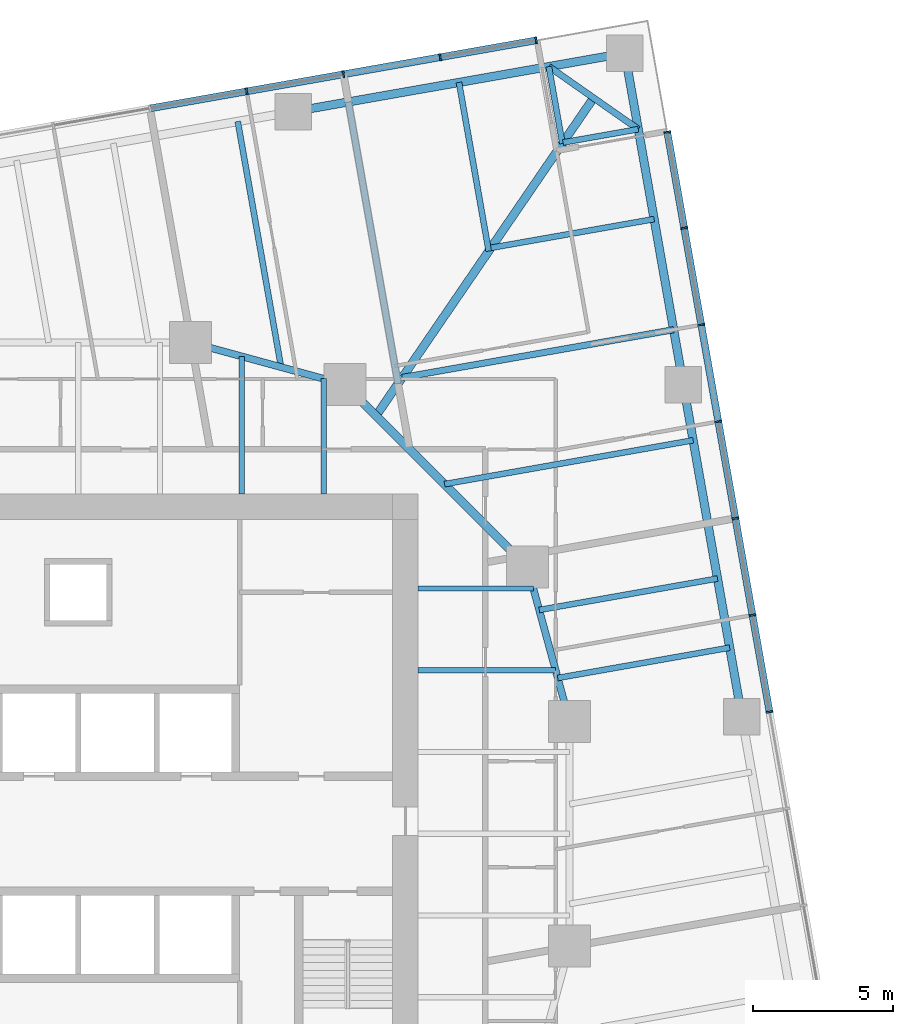
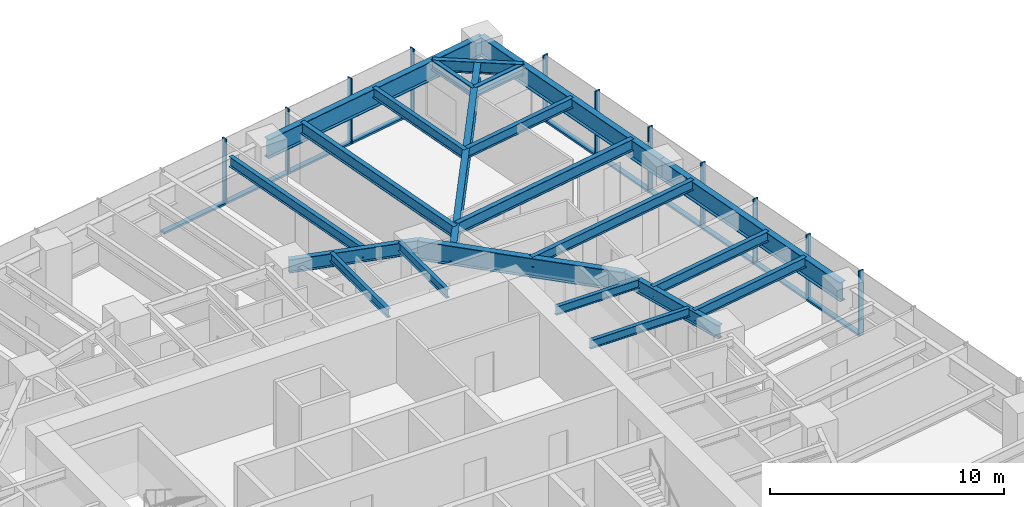
# One storey, part 6 of 14: 22 beams, 21 members, 2 elements without a shape of their own.
"""IFC4 building model written with IfcOpenShell, lengths in metres."""

from ifc_helpers import new_model, si_unit, direction, frame, origin, origin_2d, place, context, subcontext, project, spatial, rectangle, i_section, extrude, material, material_profile, profile_set, type_object, element, aggregate, save


model = new_model("IFC4")

# Units and contexts
model_context = context("Model", 3, precision=1e-05, world=origin(), true_north=direction((0.0, 1.0)))
body_context = subcontext(model_context, "Body", "Model", "MODEL_VIEW")
ifc_project = project(units=[si_unit("LENGTHUNIT", "METRE"), si_unit("AREAUNIT", "SQUARE_METRE"), si_unit("VOLUMEUNIT", "CUBIC_METRE"), si_unit("PLANEANGLEUNIT", "RADIAN"), si_unit("MASSUNIT", "GRAM", prefix="KILO")], contexts=[model_context])

# Site, building, storey
site_placement = place(None, origin())
site = spatial("IfcSite", under=ifc_project, at=site_placement, CompositionType="ELEMENT")
building_placement = place(site_placement, origin())
building = spatial("IfcBuilding", under=site, at=building_placement, Name="Torsade Residences", CompositionType="ELEMENT")
storey_placement = place(building_placement, frame((0.0, 0.0, 96.39990234375)))
storey = spatial("IfcBuildingStorey", under=building, at=storey_placement, Name="L26", CompositionType="ELEMENT", Elevation=96.39990234375)

# Beams
ifc_material_1 = material(Name="Steel grade 300", Category="steel")
ifc_material_profile_1 = material_profile(ifc_material_1, i_section(OverallWidth=0.300048828125, OverallDepth=0.89990234375, WebThickness=0.011962890625, FlangeThickness=0.02490234375, at=origin_2d()), Name="900WB175")
ifc_profile_set_1 = profile_set([ifc_material_profile_1], Name="Steel grade 300")
beam_type_1 = type_object("IfcBeamType", Name="CORNER GIRDER 900WB175", PredefinedType="BEAM", material=ifc_profile_set_1)
beam_1_placement = place(storey_placement, frame((58.3525390625, 56.2099609375, 2.800048828125), z_axis=(-0.564724759437, -0.825279313977, 0.0), x_axis=(0.825279313977, -0.564724759437, 0.0)))
element("IfcBeam", 1, at=beam_1_placement, inside=storey, type_object=beam_type_1, Name="Corner girder 09 L27", PredefinedType="BEAM", context=body_context, shape_type="SweptSolid", body=[
    extrude(i_section(OverallWidth=0.300048828125, OverallDepth=0.89990234375, WebThickness=0.011962890625, FlangeThickness=0.02490234375, at=origin_2d()), origin(), (0.0, 0.0, 1.0), 13.7138671875),
])
ifc_material_2 = material(Name="Steel grade 300", Category="steel")
ifc_material_profile_2 = material_profile(ifc_material_2, i_section(OverallWidth=0.22802734375, OverallDepth=0.60205078125, WebThickness=0.010498046875, FlangeThickness=0.014892578125, FilletRadius=0.013916015625, at=origin_2d()), Name="610UB101")
ifc_profile_set_2 = profile_set([ifc_material_profile_2], Name="Steel grade 300")
beam_type_2 = type_object("IfcBeamType", Name="CORNER TRIMMER 610UB101", PredefinedType="BEAM", material=ifc_profile_set_2)
beam_2_placement = place(storey_placement, frame((56.759521484375, 57.325439453125, 2.94921875), z_axis=(0.819152285145, -0.573576092373, 0.0), x_axis=(0.573576092373, 0.819152285145, 0.0)))
element("IfcBeam", 2, at=beam_2_placement, inside=storey, type_object=beam_type_2, Name="Corner trimmer 09 L27", PredefinedType="BEAM", context=body_context, shape_type="SweptSolid", body=[
    extrude(i_section(OverallWidth=0.22802734375, OverallDepth=0.60205078125, WebThickness=0.010498046875, FlangeThickness=0.014892578125, FilletRadius=0.013916015625, at=origin_2d()), origin(), (0.0, 0.0, 1.0), 3.88916015625),
])

# Curtain wall, members
ifc_material_3 = material(Name="Aluminium and glass", Category="aluminium")
curtain_wall_type = type_object("IfcCurtainWallType", Name="FRITTED GLASS CURTAIN WALL LOW ZONE", PredefinedType="NOTDEFINED", material=ifc_material_3)
curtain_wall_1_placement = place(storey_placement, origin())
curtain_wall_1 = element("IfcCurtainWall", 3, at=curtain_wall_1_placement, inside=storey, type_object=curtain_wall_type, Name="Curtain wall L26 face 4", PredefinedType="NOTDEFINED")
ifc_material_4 = material(Name="Aluminium mullion", Category="aluminium")
ifc_material_profile_3 = material_profile(ifc_material_4, rectangle(XDim=0.25, YDim=0.06494140625, at=origin_2d()), Name="CURTAIN WALL MULLION 250x65")
ifc_profile_set_3 = profile_set([ifc_material_profile_3], Name="Aluminium mullion")
member_type_1 = type_object("IfcMemberType", Name="CURTAIN WALL MULLION 250x65", PredefinedType="MULLION", material=ifc_profile_set_3)
member_1_placement = place(storey_placement, frame((64.6201171875, 34.34130859375, 0.0), z_axis=(0.0, 0.0, 1.0), x_axis=(-0.984807750372, -0.173648192638, 0.0)))
member_1 = element("IfcMember", 4, at=member_1_placement, type_object=member_type_1, Name="Mullion 7", PredefinedType="MULLION", context=body_context, shape_type="SweptSolid", body=[
    extrude(rectangle(XDim=0.25, YDim=0.06494140625, at=origin_2d()), origin(), (0.0, 0.0, 1.0), 3.400146484375),
])
member_2_placement = place(storey_placement, frame((64.012451171875, 37.7880859375, 0.0), z_axis=(0.0, 0.0, 1.0), x_axis=(-0.984807750372, -0.173648192638, 0.0)))
member_2 = element("IfcMember", 5, at=member_2_placement, type_object=member_type_1, Name="Mullion 8", PredefinedType="MULLION", context=body_context, shape_type="SweptSolid", body=[
    extrude(rectangle(XDim=0.25, YDim=0.06494140625, at=origin_2d()), origin(), (0.0, 0.0, 1.0), 3.400146484375),
])
member_3_placement = place(storey_placement, frame((63.404541015625, 41.23486328125, 0.0), z_axis=(0.0, 0.0, 1.0), x_axis=(-0.984807750372, -0.173648192638, 0.0)))
member_3 = element("IfcMember", 6, at=member_3_placement, type_object=member_type_1, Name="Mullion 9", PredefinedType="MULLION", context=body_context, shape_type="SweptSolid", body=[
    extrude(rectangle(XDim=0.25, YDim=0.06494140625, at=origin_2d()), origin(), (0.0, 0.0, 1.0), 3.400146484375),
])
member_4_placement = place(storey_placement, frame((62.796875, 44.681640625, 0.0), z_axis=(0.0, 0.0, 1.0), x_axis=(-0.984807750372, -0.173648192638, 0.0)))
member_4 = element("IfcMember", 7, at=member_4_placement, type_object=member_type_1, Name="Mullion 10", PredefinedType="MULLION", context=body_context, shape_type="SweptSolid", body=[
    extrude(rectangle(XDim=0.25, YDim=0.06494140625, at=origin_2d()), origin(), (0.0, 0.0, 1.0), 3.400146484375),
])
member_5_placement = place(storey_placement, frame((62.189208984375, 48.12841796875, 0.0), z_axis=(0.0, 0.0, 1.0), x_axis=(-0.984807750372, -0.173648192638, 0.0)))
member_5 = element("IfcMember", 8, at=member_5_placement, type_object=member_type_1, Name="Mullion 11", PredefinedType="MULLION", context=body_context, shape_type="SweptSolid", body=[
    extrude(rectangle(XDim=0.25, YDim=0.06494140625, at=origin_2d()), origin(), (0.0, 0.0, 1.0), 3.400146484375),
])
member_6_placement = place(storey_placement, frame((61.581298828125, 51.575439453125, 0.0), z_axis=(0.0, 0.0, 1.0), x_axis=(-0.984807750372, -0.173648192638, 0.0)))
member_6 = element("IfcMember", 9, at=member_6_placement, type_object=member_type_1, Name="Mullion 12", PredefinedType="MULLION", context=body_context, shape_type="SweptSolid", body=[
    extrude(rectangle(XDim=0.25, YDim=0.06494140625, at=origin_2d()), origin(), (0.0, 0.0, 1.0), 3.400146484375),
])
member_7_placement = place(storey_placement, frame((60.979248046875, 54.990234375, 0.0), z_axis=(0.0, 0.0, 1.0), x_axis=(-0.984807750372, -0.173648192638, 0.0)))
member_7 = element("IfcMember", 10, at=member_7_placement, type_object=member_type_1, Name="Mullion 13", PredefinedType="MULLION", context=body_context, shape_type="SweptSolid", body=[
    extrude(rectangle(XDim=0.25, YDim=0.06494140625, at=origin_2d()), origin(), (0.0, 0.0, 1.0), 3.400146484375),
])

curtain_wall_2_placement = place(storey_placement, origin())
curtain_wall_2 = element("IfcCurtainWall", 11, at=curtain_wall_2_placement, inside=storey, type_object=curtain_wall_type, Name="Curtain wall L26 face 7", PredefinedType="NOTDEFINED")
member_8_placement = place(storey_placement, frame((56.307861328125, 58.26123046875, 0.0), z_axis=(0.0, 0.0, 1.0), x_axis=(0.173648192638, -0.984807750372, 0.0)))
member_8 = element("IfcMember", 12, at=member_8_placement, type_object=member_type_1, Name="Mullion 1", PredefinedType="MULLION", context=body_context, shape_type="SweptSolid", body=[
    extrude(rectangle(XDim=0.25, YDim=0.06494140625, at=origin_2d()), origin(), (0.0, 0.0, 1.0), 3.400146484375),
])
member_9_placement = place(storey_placement, frame((52.892822265625, 57.658935546875, 0.0), z_axis=(0.0, 0.0, 1.0), x_axis=(0.173648192638, -0.984807750372, 0.0)))
member_9 = element("IfcMember", 13, at=member_9_placement, type_object=member_type_1, Name="Mullion 2", PredefinedType="MULLION", context=body_context, shape_type="SweptSolid", body=[
    extrude(rectangle(XDim=0.25, YDim=0.06494140625, at=origin_2d()), origin(), (0.0, 0.0, 1.0), 3.400146484375),
])
member_10_placement = place(storey_placement, frame((49.446044921875, 57.05126953125, 0.0), z_axis=(0.0, 0.0, 1.0), x_axis=(0.173648192638, -0.984807750372, 0.0)))
member_10 = element("IfcMember", 14, at=member_10_placement, type_object=member_type_1, Name="Mullion 3", PredefinedType="MULLION", context=body_context, shape_type="SweptSolid", body=[
    extrude(rectangle(XDim=0.25, YDim=0.06494140625, at=origin_2d()), origin(), (0.0, 0.0, 1.0), 3.400146484375),
])
member_11_placement = place(storey_placement, frame((45.999267578125, 56.443603515625, 0.0), z_axis=(0.0, 0.0, 1.0), x_axis=(0.173648192638, -0.984807750372, 0.0)))
member_11 = element("IfcMember", 15, at=member_11_placement, type_object=member_type_1, Name="Mullion 4", PredefinedType="MULLION", context=body_context, shape_type="SweptSolid", body=[
    extrude(rectangle(XDim=0.25, YDim=0.06494140625, at=origin_2d()), origin(), (0.0, 0.0, 1.0), 3.400146484375),
])

# Member
ifc_material_5 = material(Name="Aluminium transom", Category="aluminium")
ifc_material_profile_4 = material_profile(ifc_material_5, rectangle(XDim=0.25, YDim=0.10009765625, at=origin_2d()), Name="CURTAIN WALL TRANSOM 250x100")
ifc_profile_set_4 = profile_set([ifc_material_profile_4], Name="Aluminium transom")
member_type_2 = type_object("IfcMemberType", Name="CURTAIN WALL TRANSOM 250x100", PredefinedType="USERDEFINED", material=ifc_profile_set_4)
member_12_placement = place(storey_placement, frame((64.614501953125, 34.373291015625, 0.050048828125), z_axis=(-0.17363531196, 0.984810021497, 0.0), x_axis=(-0.984810021497, -0.17363531196, 0.0)))
member_12 = element("IfcMember", 16, at=member_12_placement, type_object=member_type_2, Name="Transom 7.1", ObjectType="TRANSOM", PredefinedType="USERDEFINED", context=body_context, shape_type="SweptSolid", body=[
    extrude(rectangle(XDim=0.25, YDim=0.10009765625, at=origin_2d()), origin(), (0.0, 0.0, 1.0), 3.43505859375),
])

member_13_placement = place(storey_placement, frame((64.0068359375, 37.820068359375, 0.050048828125), z_axis=(-0.17363531196, 0.984810021497, 0.0), x_axis=(-0.984810021497, -0.17363531196, 0.0)))
member_13 = element("IfcMember", 17, at=member_13_placement, type_object=member_type_2, Name="Transom 8.1", ObjectType="TRANSOM", PredefinedType="USERDEFINED", context=body_context, shape_type="SweptSolid", body=[
    extrude(rectangle(XDim=0.25, YDim=0.10009765625, at=origin_2d()), origin(), (0.0, 0.0, 1.0), 3.43505859375),
])

member_14_placement = place(storey_placement, frame((63.39892578125, 41.266845703125, 0.050048828125), z_axis=(-0.17363531196, 0.984810021497, 0.0), x_axis=(-0.984810021497, -0.17363531196, 0.0)))
member_14 = element("IfcMember", 18, at=member_14_placement, type_object=member_type_2, Name="Transom 9.1", ObjectType="TRANSOM", PredefinedType="USERDEFINED", context=body_context, shape_type="SweptSolid", body=[
    extrude(rectangle(XDim=0.25, YDim=0.10009765625, at=origin_2d()), origin(), (0.0, 0.0, 1.0), 3.43505859375),
])

member_15_placement = place(storey_placement, frame((62.791259765625, 44.713623046875, 0.050048828125), z_axis=(-0.17363531196, 0.984810021497, 0.0), x_axis=(-0.984810021497, -0.17363531196, 0.0)))
member_15 = element("IfcMember", 19, at=member_15_placement, type_object=member_type_2, Name="Transom 10.1", ObjectType="TRANSOM", PredefinedType="USERDEFINED", context=body_context, shape_type="SweptSolid", body=[
    extrude(rectangle(XDim=0.25, YDim=0.10009765625, at=origin_2d()), origin(), (0.0, 0.0, 1.0), 3.43505859375),
])

member_16_placement = place(storey_placement, frame((62.18359375, 48.160400390625, 0.050048828125), z_axis=(-0.173704242465, 0.98479786563, 0.0), x_axis=(-0.98479786563, -0.173704242465, 0.0)))
member_16 = element("IfcMember", 20, at=member_16_placement, type_object=member_type_2, Name="Transom 11.1", ObjectType="TRANSOM", PredefinedType="USERDEFINED", context=body_context, shape_type="SweptSolid", body=[
    extrude(rectangle(XDim=0.25, YDim=0.10009765625, at=origin_2d()), origin(), (0.0, 0.0, 1.0), 3.43505859375),
])

member_17_placement = place(storey_placement, frame((61.57568359375, 51.607421875, 0.050048828125), z_axis=(-0.173642067011, 0.984808830466, 0.0), x_axis=(-0.984808830466, -0.173642067011, 0.0)))
member_17 = element("IfcMember", 21, at=member_17_placement, type_object=member_type_2, Name="Transom 12.1", ObjectType="TRANSOM", PredefinedType="USERDEFINED", context=body_context, shape_type="SweptSolid", body=[
    extrude(rectangle(XDim=0.25, YDim=0.10009765625, at=origin_2d()), origin(), (0.0, 0.0, 1.0), 3.402587890625),
])

aggregate(curtain_wall_1, [member_1, member_2, member_3, member_4, member_5, member_6, member_7, member_12, member_13, member_14, member_15, member_16, member_17])

member_18_placement = place(storey_placement, frame((56.275634765625, 58.255615234375, 0.050048828125), z_axis=(-0.984806666774, -0.173654337918, 0.0), x_axis=(0.173654337918, -0.984806666774, 0.0)))
member_18 = element("IfcMember", 22, at=member_18_placement, type_object=member_type_2, Name="Transom 1.1", ObjectType="TRANSOM", PredefinedType="USERDEFINED", context=body_context, shape_type="SweptSolid", body=[
    extrude(rectangle(XDim=0.25, YDim=0.10009765625, at=origin_2d()), origin(), (0.0, 0.0, 1.0), 3.40234375),
])

member_19_placement = place(storey_placement, frame((52.86083984375, 57.6533203125, 0.050048828125), z_axis=(-0.984810021497, -0.17363531196, 0.0), x_axis=(0.17363531196, -0.984810021497, 0.0)))
member_19 = element("IfcMember", 23, at=member_19_placement, type_object=member_type_2, Name="Transom 2.1", ObjectType="TRANSOM", PredefinedType="USERDEFINED", context=body_context, shape_type="SweptSolid", body=[
    extrude(rectangle(XDim=0.25, YDim=0.10009765625, at=origin_2d()), origin(), (0.0, 0.0, 1.0), 3.43505859375),
])

member_20_placement = place(storey_placement, frame((49.4140625, 57.045654296875, 0.050048828125), z_axis=(-0.984810021497, -0.17363531196, 0.0), x_axis=(0.17363531196, -0.984810021497, 0.0)))
member_20 = element("IfcMember", 24, at=member_20_placement, type_object=member_type_2, Name="Transom 3.1", ObjectType="TRANSOM", PredefinedType="USERDEFINED", context=body_context, shape_type="SweptSolid", body=[
    extrude(rectangle(XDim=0.25, YDim=0.10009765625, at=origin_2d()), origin(), (0.0, 0.0, 1.0), 3.43505859375),
])

member_21_placement = place(storey_placement, frame((45.96728515625, 56.437744140625, 0.050048828125), z_axis=(-0.984810021497, -0.17363531196, 0.0), x_axis=(0.17363531196, -0.984810021497, 0.0)))
member_21 = element("IfcMember", 25, at=member_21_placement, type_object=member_type_2, Name="Transom 4.1", ObjectType="TRANSOM", PredefinedType="USERDEFINED", context=body_context, shape_type="SweptSolid", body=[
    extrude(rectangle(XDim=0.25, YDim=0.10009765625, at=origin_2d()), origin(), (0.0, 0.0, 1.0), 3.43505859375),
])

aggregate(curtain_wall_2, [member_8, member_9, member_10, member_11, member_18, member_19, member_20, member_21])

# Beams
ifc_material_6 = material(Name="Steel grade 300", Category="steel")
ifc_material_profile_5 = material_profile(ifc_material_6, i_section(OverallWidth=0.300048828125, OverallDepth=1.0, WebThickness=0.01611328125, FlangeThickness=0.028076171875, at=origin_2d()), Name="1000WB215")
ifc_profile_set_5 = profile_set([ifc_material_profile_5], Name="Steel grade 300")
beam_type_3 = type_object("IfcBeamType", Name="EDGE BEAM 1000WB215", PredefinedType="SPANDREL", material=ifc_profile_set_5)
beam_3_placement = place(storey_placement, frame((63.635498046875, 34.16748046875, 2.75), z_axis=(-0.173662308598, 0.984805261243, 0.0), x_axis=(-0.984805261243, -0.173662308598, 0.0)))
element("IfcBeam", 26, at=beam_3_placement, inside=storey, type_object=beam_type_3, Name="Edge beam 07 L27", PredefinedType="SPANDREL", context=body_context, shape_type="SweptSolid", body=[
    extrude(i_section(OverallWidth=0.300048828125, OverallDepth=1.0, WebThickness=0.01611328125, FlangeThickness=0.028076171875, at=origin_2d()), origin(), (0.0, 0.0, 1.0), 12.000244140625),
])
for number, where, z_axis, x_axis, name in (
    (27, (61.551513671875, 45.9853515625, 2.75), (-0.173646056486, 0.984808127031, 0.0), (-0.984808127031, -0.173646056486, 0.0), "Edge beam 08 L27"),
    (28, (59.4677734375, 57.802978515625, 2.75), (-0.984808127031, -0.173646056486, 0.0), (0.173646056486, -0.984808127031, 0.0), "Edge beam 09 L27"),
):
    element("IfcBeam", number, at=place(storey_placement, frame(where, z_axis=z_axis, x_axis=x_axis)), inside=storey, type_object=beam_type_3, Name=name, PredefinedType="SPANDREL", context=body_context, shape_type="SweptSolid", body=[
        extrude(i_section(OverallWidth=0.300048828125, OverallDepth=1.0, WebThickness=0.01611328125, FlangeThickness=0.028076171875, at=origin_2d()), origin(), (0.0, 0.0, 1.0), 12.0),
    ])
ifc_material_7 = material(Name="Steel grade 300", Category="steel")
ifc_material_profile_6 = material_profile(ifc_material_7, i_section(OverallWidth=0.18994140625, OverallDepth=0.4541015625, WebThickness=0.008544921875, FlangeThickness=0.0126953125, FilletRadius=0.011474609375, at=origin_2d()), Name="460UB67.1")
ifc_profile_set_6 = profile_set([ifc_material_profile_6], Name="Steel grade 300")
beam_type_4 = type_object("IfcBeamType", Name="INNER FLOOR BEAM 460UB67.1", PredefinedType="JOIST", material=ifc_profile_set_6)
beam_4_placement = place(storey_placement, frame((45.824951171875, 42.10009765625, 3.023193359375), z_axis=(0.0, 1.0, 0.0), x_axis=(-1.0, 0.0, 0.0)))
element("IfcBeam", 29, at=beam_4_placement, inside=storey, type_object=beam_type_4, Name="Inner floor beam IN06 L27", PredefinedType="JOIST", context=body_context, shape_type="SweptSolid", body=[
    extrude(i_section(OverallWidth=0.18994140625, OverallDepth=0.4541015625, WebThickness=0.008544921875, FlangeThickness=0.0126953125, FilletRadius=0.011474609375, at=origin_2d()), origin(), (0.0, 0.0, 1.0), 4.902099609375),
])
beam_5_placement = place(storey_placement, frame((48.737548828125, 42.10009765625, 3.023193359375), z_axis=(0.0, 1.0, 0.0), x_axis=(-1.0, 0.0, 0.0)))
element("IfcBeam", 30, at=beam_5_placement, inside=storey, type_object=beam_type_4, Name="Inner floor beam IN07 L27", PredefinedType="JOIST", context=body_context, shape_type="SweptSolid", body=[
    extrude(i_section(OverallWidth=0.18994140625, OverallDepth=0.4541015625, WebThickness=0.008544921875, FlangeThickness=0.0126953125, FilletRadius=0.011474609375, at=origin_2d()), origin(), (0.0, 0.0, 1.0), 4.10791015625),
])
beam_6_placement = place(storey_placement, frame((52.10009765625, 35.824951171875, 3.023193359375), z_axis=(1.0, 0.0, 0.0), x_axis=(0.0, 1.0, 0.0)))
element("IfcBeam", 31, at=beam_6_placement, inside=storey, type_object=beam_type_4, Name="Inner floor beam IE06 L27", PredefinedType="JOIST", context=body_context, shape_type="SweptSolid", body=[
    extrude(i_section(OverallWidth=0.18994140625, OverallDepth=0.4541015625, WebThickness=0.008544921875, FlangeThickness=0.0126953125, FilletRadius=0.011474609375, at=origin_2d()), origin(), (0.0, 0.0, 1.0), 4.902099609375),
])
beam_7_placement = place(storey_placement, frame((52.10009765625, 38.737548828125, 3.023193359375), z_axis=(1.0, 0.0, 0.0), x_axis=(0.0, 1.0, 0.0)))
element("IfcBeam", 32, at=beam_7_placement, inside=storey, type_object=beam_type_4, Name="Inner floor beam IE07 L27", PredefinedType="JOIST", context=body_context, shape_type="SweptSolid", body=[
    extrude(i_section(OverallWidth=0.18994140625, OverallDepth=0.4541015625, WebThickness=0.008544921875, FlangeThickness=0.0126953125, FilletRadius=0.011474609375, at=origin_2d()), origin(), (0.0, 0.0, 1.0), 4.10791015625),
])
ifc_material_8 = material(Name="Steel grade 300", Category="steel")
ifc_material_profile_7 = material_profile(ifc_material_8, i_section(OverallWidth=0.300048828125, OverallDepth=1.0, WebThickness=0.01611328125, FlangeThickness=0.028076171875, at=origin_2d()), Name="1000WB215")
ifc_profile_set_7 = profile_set([ifc_material_profile_7], Name="Steel grade 300")
beam_type_5 = type_object("IfcBeamType", Name="RING CORNER GIRDER 1000WB215", PredefinedType="BEAM", material=ifc_profile_set_7)
beam_8_placement = place(storey_placement, frame((56.0, 39.5, 2.75), z_axis=(-0.707106781187, 0.707106781187, 0.0), x_axis=(-0.707106781187, -0.707106781187, 0.0)))
element("IfcBeam", 33, at=beam_8_placement, inside=storey, type_object=beam_type_5, Name="Ring girder IR03 L27", PredefinedType="BEAM", context=body_context, shape_type="SweptSolid", body=[
    extrude(i_section(OverallWidth=0.300048828125, OverallDepth=1.0, WebThickness=0.01611328125, FlangeThickness=0.028076171875, at=origin_2d()), origin(), (0.0, 0.0, 1.0), 9.1923828125),
])
ifc_material_9 = material(Name="Steel grade 300", Category="steel")
ifc_material_profile_8 = material_profile(ifc_material_9, i_section(OverallWidth=0.25, OverallDepth=0.699951171875, WebThickness=0.010009765625, FlangeThickness=0.02001953125, at=origin_2d()), Name="700WB130")
ifc_profile_set_8 = profile_set([ifc_material_profile_8], Name="Steel grade 300")
beam_type_6 = type_object("IfcBeamType", Name="RING GIRDER 700WB130", PredefinedType="BEAM", material=ifc_profile_set_8)
for number, where, z_axis, x_axis, name in (
    (34, (57.5, 34.0, 2.900146484375), (-0.263117405792, 0.964763821238, 0.0), (-0.964763821238, -0.263117405792, 0.0), "Ring girder IR02 L27"),
    (35, (49.5, 46.0, 2.900146484375), (-0.964763821238, 0.263117405792, 0.0), (-0.263117405792, -0.964763821238, 0.0), "Ring girder IR04 L27"),
):
    element("IfcBeam", number, at=place(storey_placement, frame(where, z_axis=z_axis, x_axis=x_axis)), inside=storey, type_object=beam_type_6, Name=name, PredefinedType="BEAM", context=body_context, shape_type="SweptSolid", body=[
        extrude(i_section(OverallWidth=0.25, OverallDepth=0.699951171875, WebThickness=0.010009765625, FlangeThickness=0.02001953125, at=origin_2d()), origin(), (0.0, 0.0, 1.0), 5.700927734375),
    ])
ifc_material_10 = material(Name="Steel grade 300", Category="steel")
ifc_material_profile_9 = material_profile(ifc_material_10, i_section(OverallWidth=0.208984375, OverallDepth=0.528076171875, WebThickness=0.009521484375, FlangeThickness=0.01318359375, FilletRadius=0.013916015625, at=origin_2d()), Name="530UB82.0")
ifc_profile_set_9 = profile_set([ifc_material_profile_9], Name="Steel grade 300")
beam_type_7 = type_object("IfcBeamType", Name="SECONDARY BEAM 530UB82.0", PredefinedType="JOIST", material=ifc_profile_set_9)
beam_9_placement = place(storey_placement, frame((63.201171875, 36.629638671875, 2.986083984375), z_axis=(-0.984806474989, -0.173655425542, 0.0), x_axis=(0.173655425542, -0.984806474989, 0.0)))
element("IfcBeam", 36, at=beam_9_placement, inside=storey, type_object=beam_type_7, Name="Floor beam FE07 L27", PredefinedType="JOIST", context=body_context, shape_type="SweptSolid", body=[
    extrude(i_section(OverallWidth=0.208984375, OverallDepth=0.528076171875, WebThickness=0.009521484375, FlangeThickness=0.01318359375, FilletRadius=0.013916015625, at=origin_2d()), origin(), (0.0, 0.0, 1.0), 6.21826171875),
])
beam_10_placement = place(storey_placement, frame((62.76708984375, 39.091552734375, 2.986083984375), z_axis=(-0.984810608823, -0.17363198078, 0.0), x_axis=(0.17363198078, -0.984810608823, 0.0)))
element("IfcBeam", 37, at=beam_10_placement, inside=storey, type_object=beam_type_7, Name="Floor beam FE08 L27", PredefinedType="JOIST", context=body_context, shape_type="SweptSolid", body=[
    extrude(i_section(OverallWidth=0.208984375, OverallDepth=0.528076171875, WebThickness=0.009521484375, FlangeThickness=0.01318359375, FilletRadius=0.013916015625, at=origin_2d()), origin(), (0.0, 0.0, 1.0), 6.4482421875),
])
beam_11_placement = place(storey_placement, frame((61.89892578125, 44.015625, 2.986083984375), z_axis=(-0.984809246638, -0.173639706679, 0.0), x_axis=(0.173639706679, -0.984809246638, 0.0)))
element("IfcBeam", 38, at=beam_11_placement, inside=storey, type_object=beam_type_7, Name="Floor beam FE09 L27", PredefinedType="JOIST", context=body_context, shape_type="SweptSolid", body=[
    extrude(i_section(OverallWidth=0.208984375, OverallDepth=0.528076171875, WebThickness=0.009521484375, FlangeThickness=0.01318359375, FilletRadius=0.013916015625, at=origin_2d()), origin(), (0.0, 0.0, 1.0), 8.989990234375),
])
beam_12_placement = place(storey_placement, frame((60.509765625, 51.89404296875, 2.986083984375), z_axis=(-0.984811033899, -0.173629569808, 0.0), x_axis=(0.173629569808, -0.984811033899, 0.0)))
element("IfcBeam", 39, at=beam_12_placement, inside=storey, type_object=beam_type_7, Name="Floor beam FE11 L27", PredefinedType="JOIST", context=body_context, shape_type="SweptSolid", body=[
    extrude(i_section(OverallWidth=0.208984375, OverallDepth=0.528076171875, WebThickness=0.009521484375, FlangeThickness=0.01318359375, FilletRadius=0.013916015625, at=origin_2d()), origin(), (0.0, 0.0, 1.0), 5.9013671875),
])
beam_13_placement = place(storey_placement, frame((59.9453125, 55.0947265625, 2.986083984375), z_axis=(-0.984807941563, -0.17364710834, 0.0), x_axis=(0.17364710834, -0.984807941563, 0.0)))
element("IfcBeam", 40, at=beam_13_placement, inside=storey, type_object=beam_type_7, Name="Floor beam FE12 L27", PredefinedType="JOIST", context=body_context, shape_type="SweptSolid", body=[
    extrude(i_section(OverallWidth=0.208984375, OverallDepth=0.528076171875, WebThickness=0.009521484375, FlangeThickness=0.01318359375, FilletRadius=0.013916015625, at=origin_2d()), origin(), (0.0, 0.0, 1.0), 2.720458984375),
])
beam_14_placement = place(storey_placement, frame((56.759521484375, 57.325439453125, 2.986083984375), z_axis=(0.173705176765, -0.984797700832, 0.0), x_axis=(0.984797700832, 0.173705176765, 0.0)))
element("IfcBeam", 41, at=beam_14_placement, inside=storey, type_object=beam_type_7, Name="Floor beam FN01 L27", PredefinedType="JOIST", context=body_context, shape_type="SweptSolid", body=[
    extrude(i_section(OverallWidth=0.208984375, OverallDepth=0.528076171875, WebThickness=0.009521484375, FlangeThickness=0.01318359375, FilletRadius=0.013916015625, at=origin_2d()), origin(), (0.0, 0.0, 1.0), 2.780029296875),
])
beam_15_placement = place(storey_placement, frame((53.55908203125, 56.760986328125, 2.986083984375), z_axis=(0.173639225065, -0.984809331556, 0.0), x_axis=(0.984809331556, 0.173639225065, 0.0)))
element("IfcBeam", 42, at=beam_15_placement, inside=storey, type_object=beam_type_7, Name="Floor beam FN02 L27", PredefinedType="JOIST", context=body_context, shape_type="SweptSolid", body=[
    extrude(i_section(OverallWidth=0.208984375, OverallDepth=0.528076171875, WebThickness=0.009521484375, FlangeThickness=0.01318359375, FilletRadius=0.013916015625, at=origin_2d()), origin(), (0.0, 0.0, 1.0), 6.100830078125),
])
beam_16_placement = place(storey_placement, frame((45.680419921875, 55.371826171875, 2.986083984375), z_axis=(0.173667781384, -0.984804296147, 0.0), x_axis=(0.984804296147, 0.173667781384, 0.0)))
element("IfcBeam", 43, at=beam_16_placement, inside=storey, type_object=beam_type_7, Name="Floor beam FN04 L27", PredefinedType="JOIST", context=body_context, shape_type="SweptSolid", body=[
    extrude(i_section(OverallWidth=0.208984375, OverallDepth=0.528076171875, WebThickness=0.009521484375, FlangeThickness=0.01318359375, FilletRadius=0.013916015625, at=origin_2d()), origin(), (0.0, 0.0, 1.0), 8.885986328125),
])
ifc_material_11 = material(Name="Steel grade 300", Category="steel")
ifc_material_profile_10 = material_profile(ifc_material_11, i_section(OverallWidth=0.22900390625, OverallDepth=0.612060546875, WebThickness=0.011962890625, FlangeThickness=0.01953125, FilletRadius=0.013916015625, at=origin_2d()), Name="610UB125")
ifc_profile_set_10 = profile_set([ifc_material_profile_10], Name="Steel grade 300")
beam_type_8 = type_object("IfcBeamType", Name="SECONDARY BEAM 610UB125", PredefinedType="JOIST", material=ifc_profile_set_10)
beam_17_placement = place(storey_placement, frame((61.204345703125, 47.954833984375, 2.944091796875), z_axis=(-0.984807085789, -0.173651961637, 0.0), x_axis=(0.173651961637, -0.984807085789, 0.0)))
element("IfcBeam", 44, at=beam_17_placement, inside=storey, type_object=beam_type_8, Name="Floor beam FE10 L27", PredefinedType="JOIST", context=body_context, shape_type="SweptSolid", body=[
    extrude(i_section(OverallWidth=0.22900390625, OverallDepth=0.612060546875, WebThickness=0.011962890625, FlangeThickness=0.01953125, FilletRadius=0.013916015625, at=origin_2d()), origin(), (0.0, 0.0, 1.0), 9.816162109375),
])
beam_18_placement = place(storey_placement, frame((49.619873046875, 56.06640625, 2.944091796875), z_axis=(0.173644522411, -0.984808397525, 0.0), x_axis=(0.984808397525, 0.173644522411, 0.0)))
element("IfcBeam", 45, at=beam_18_placement, inside=storey, type_object=beam_type_8, Name="Floor beam FN03 L27", PredefinedType="JOIST", context=body_context, shape_type="SweptSolid", body=[
    extrude(i_section(OverallWidth=0.22900390625, OverallDepth=0.612060546875, WebThickness=0.011962890625, FlangeThickness=0.01953125, FilletRadius=0.013916015625, at=origin_2d()), origin(), (0.0, 0.0, 1.0), 10.187744140625),
])

save(model, "model.ifc")
